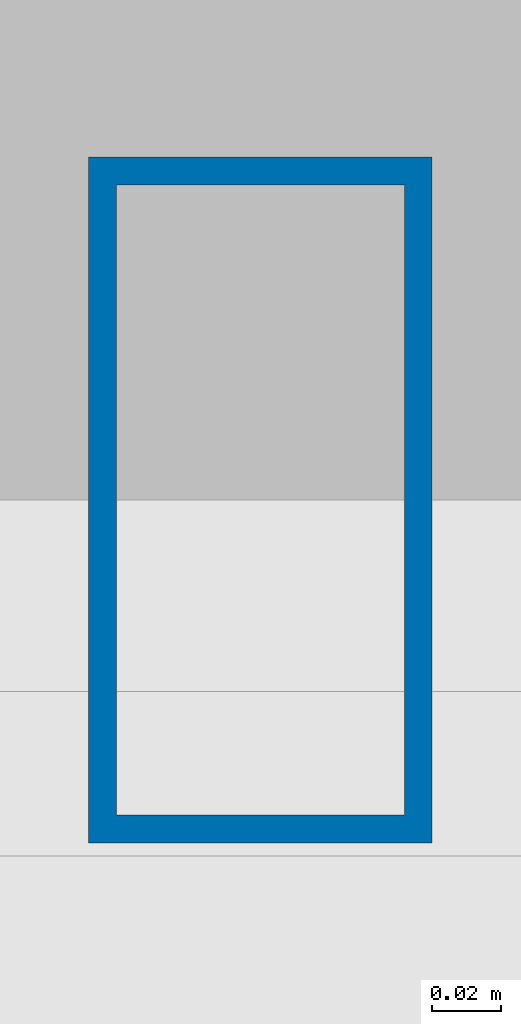
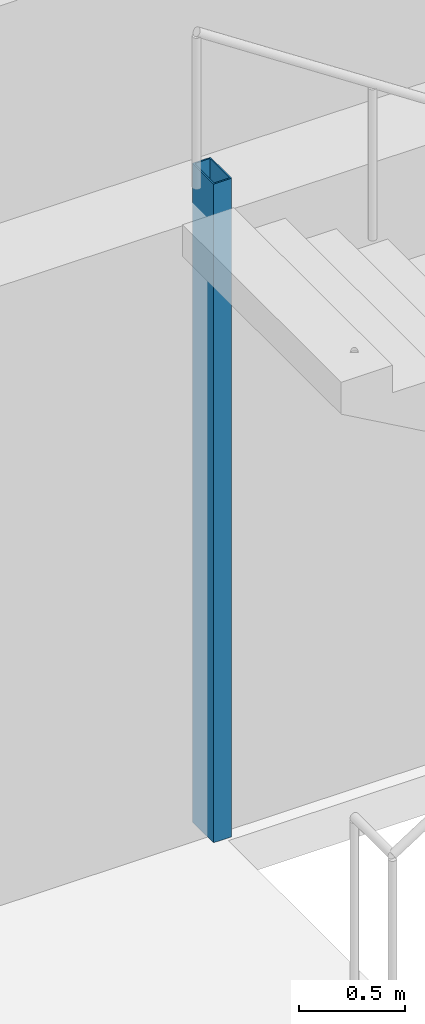
# One storey, part 2 of 17: 1 column.
"""IFC4 building model written with IfcOpenShell, lengths in metres."""

from ifc_helpers import new_model, si_unit, direction, frame, origin, origin_2d, place, context, subcontext, project, spatial, hollow_rectangle, extrude, material, material_profile, profile_set, type_object, element, save


model = new_model("IFC4")

# Units and contexts
model_context = context("Model", 3, precision=1e-05, world=origin(), true_north=direction((0.0, 1.0)))
body_context = subcontext(model_context, "Body", "Model", "MODEL_VIEW")
ifc_project = project(units=[si_unit("LENGTHUNIT", "METRE"), si_unit("AREAUNIT", "SQUARE_METRE"), si_unit("VOLUMEUNIT", "CUBIC_METRE"), si_unit("PLANEANGLEUNIT", "RADIAN"), si_unit("MASSUNIT", "GRAM", prefix="KILO")], contexts=[model_context])

# Site, building, storey
site_placement = place(None, origin())
site = spatial("IfcSite", under=ifc_project, at=site_placement, CompositionType="ELEMENT")
building_placement = place(site_placement, origin())
building = spatial("IfcBuilding", under=site, at=building_placement, Name="Menara Jurai Vektor", CompositionType="ELEMENT")
storey_placement = place(building_placement, frame((0.0, 0.0, 29.39990234375)))
storey = spatial("IfcBuildingStorey", under=building, at=storey_placement, Name="L06", CompositionType="ELEMENT", Elevation=29.39990234375)

# Column
ifc_material = material(Name="Steel S355", Category="steel")
ifc_material_profile = material_profile(ifc_material, hollow_rectangle(XDim=0.10009765625, YDim=0.199951171875, WallThickness=0.008056640625, at=origin_2d()), Name="RHS 200x100x8")
ifc_profile_set = profile_set([ifc_material_profile], Name="Steel S355")
column_type = type_object("IfcColumnType", Name="STR-COL-STAIR", PredefinedType="COLUMN", material=ifc_profile_set)
column_placement = place(storey_placement, frame((-11.1201171875, 5.419921875, 0.0), z_axis=(0.0, 0.0, 1.0), x_axis=(1.0, 0.0, 0.0)))
element("IfcColumn", 1, at=column_placement, inside=storey, type_object=column_type, Name="Stair Well Header Column ST1-P2 L06", PredefinedType="COLUMN", context=body_context, shape_type="SweptSolid", body=[
    extrude(hollow_rectangle(XDim=0.10009765625, YDim=0.199951171875, WallThickness=0.008056640625, at=origin_2d()), origin(), (0.0, 0.0, 1.0), 3.800048828125),
])

save(model, "model.ifc")
